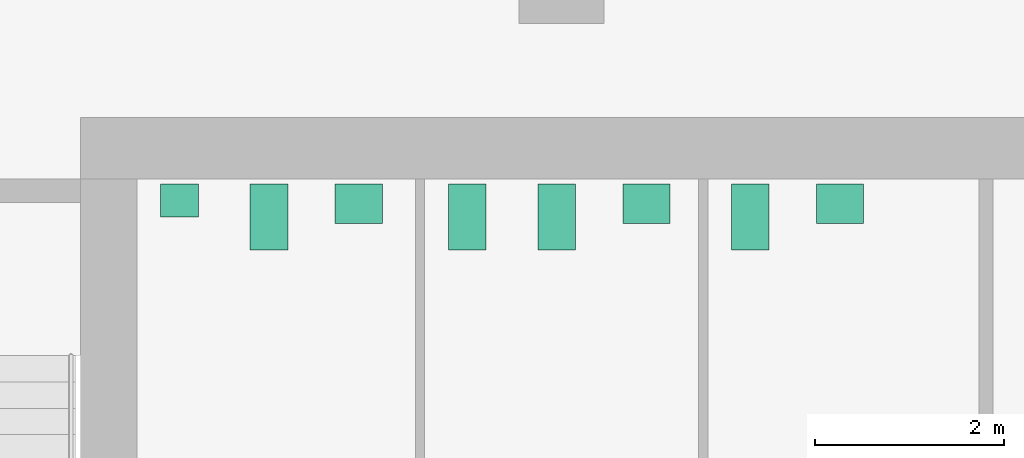
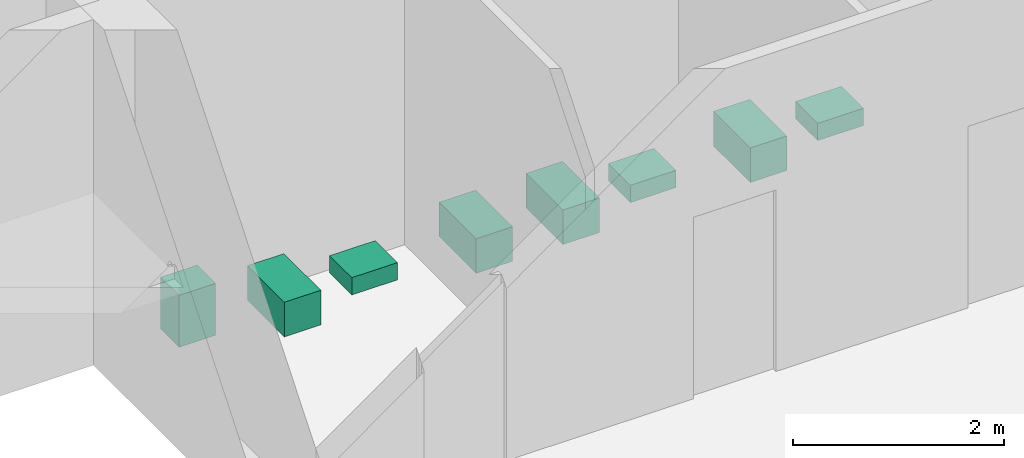
# One storey, part 8 of 8: 8 sanitary terminals.
"""IFC4 building model written with IfcOpenShell, lengths in metres."""

import ifcopenshell
import ifcopenshell.guid

model = None  # the IFC model being written
_history = None  # IfcOwnerHistory: only IFC2X3 demands one
_inside = {}  # id of a spatial element -> (the spatial element, [elements in it])
_under = {}  # id of a project, library or spatial element -> (it, [spatial elements below it])
_declared = {}  # id of a project -> (the project, [libraries it declares])
_typed = {}  # id of a type object -> (the type object, [elements of that type])
_made_of = {}  # id of a material, layer set ... -> (it, [elements and type objects made of it])


def new_model(schema):
    """Start an empty IFC model of exactly this schema.

    Asked for "IFC4X3", IfcOpenShell would pick the latest addendum, in which some entities
    have other attributes; the version numbers below select the first issue.
    IFC2X3 requires an IfcOwnerHistory on every rooted entity: one is made here for all.
    """
    global model, _history
    if schema == "IFC4X3":
        model = ifcopenshell.file(schema_version=(4, 3, 0, 0))
    else:
        model = ifcopenshell.file(schema=schema)
    _inside.clear()
    _under.clear()
    _declared.clear()
    _typed.clear()
    _made_of.clear()
    _history = None
    if model.schema == "IFC2X3":
        org = make("IfcOrganization", Name="unknown")
        user = make(
            "IfcPersonAndOrganization",
            ThePerson=make("IfcPerson", FamilyName="unknown"),
            TheOrganization=org,
        )
        app = make(
            "IfcApplication",
            ApplicationDeveloper=org,
            Version="unknown",
            ApplicationFullName="unknown",
            ApplicationIdentifier="unknown",
        )
        _history = make(
            "IfcOwnerHistory",
            OwningUser=user,
            OwningApplication=app,
            ChangeAction="ADDED",
            CreationDate=0,
        )
    return model


def make(cls, **values):
    """One entity of the class cls with the attributes given. An attribute that is None is left unset."""
    return model.create_entity(
        cls, **{name: value for name, value in values.items() if value is not None}
    )


def rooted(cls, **values):
    """An entity with a GlobalId (a new one), such as an element, a storey or a relation."""
    return make(cls, GlobalId=ifcopenshell.guid.new(), OwnerHistory=_history, **values)


def si_unit(unit_type, name, prefix=None):
    """IfcSIUnit, for example si_unit("LENGTHUNIT", "METRE", prefix="MILLI")."""
    return make("IfcSIUnit", UnitType=unit_type, Prefix=prefix, Name=name)


def assignment(units):
    """IfcUnitAssignment: the units of a project."""
    return None if units is None else make("IfcUnitAssignment", Units=units)


def point(xyz):
    """IfcCartesianPoint."""
    return None if xyz is None else make("IfcCartesianPoint", Coordinates=xyz)


def direction(xyz):
    """IfcDirection."""
    return None if xyz is None else make("IfcDirection", DirectionRatios=xyz)


def frame(location, z_axis=None, x_axis=None):
    """IfcAxis2Placement3D, a coordinate frame: its origin and axes. An axis left out is left unset."""
    return make(
        "IfcAxis2Placement3D",
        Location=point(location),
        Axis=direction(z_axis),
        RefDirection=direction(x_axis),
    )


def frame_2d(location, x_axis=None):
    """IfcAxis2Placement2D, a coordinate frame in the plane: its origin and x axis."""
    return make(
        "IfcAxis2Placement2D", Location=point(location), RefDirection=direction(x_axis)
    )


def origin():
    """The frame at (0, 0, 0) with its axes left unset."""
    return frame((0.0, 0.0, 0.0))


def origin_2d():
    """The frame at (0, 0) in the plane with its x axis left unset."""
    return frame_2d((0.0, 0.0))


def place(relative_to, where):
    """IfcLocalPlacement: puts the frame where relative to a parent placement (None: the world)."""
    return make(
        "IfcLocalPlacement", PlacementRelTo=relative_to, RelativePlacement=where
    )


def context(
    kind, dimensions, precision=None, world=None, true_north=None, identifier=None
):
    """IfcGeometricRepresentationContext, for example the 3D "Model" context."""
    return make(
        "IfcGeometricRepresentationContext",
        ContextIdentifier=identifier,
        ContextType=kind,
        CoordinateSpaceDimension=dimensions,
        Precision=precision,
        WorldCoordinateSystem=world,
        TrueNorth=true_north,
    )


def subcontext(parent, identifier, kind, view, scale=None):
    """IfcGeometricRepresentationSubContext, for example "Body" below "Model"."""
    return make(
        "IfcGeometricRepresentationSubContext",
        ContextIdentifier=identifier,
        ContextType=kind,
        ParentContext=parent,
        TargetScale=scale,
        TargetView=view,
    )


def project(units=None, contexts=None):
    """IfcProject with its units and contexts."""
    return rooted(
        "IfcProject",
        Name="project",
        RepresentationContexts=contexts,
        UnitsInContext=assignment(units),
    )


def spatial(cls, under=None, at=None, **own):
    """A site, building, storey or space (cls), placed at a placement, below another one or the project."""
    s = rooted(cls, ObjectPlacement=at, **own)
    if under is not None:
        _under.setdefault(under.id(), (under, []))[1].append(s)
    return s


def profile(cls, at=None, kind="AREA", **sizes):
    """A parametric profile (cls). Its sizes go by their IFC names, for example OverallWidth=200.0."""
    return make(cls, ProfileType=kind, Position=at, **sizes)


def rectangle(**sizes):
    """IfcRectangleProfileDef."""
    return profile("IfcRectangleProfileDef", **sizes)


def extrude(swept, where, along, depth):
    """IfcExtrudedAreaSolid: the profile swept, set in the frame where, extruded along a direction by depth."""
    return make(
        "IfcExtrudedAreaSolid",
        SweptArea=swept,
        Position=where,
        ExtrudedDirection=direction(along),
        Depth=depth,
    )


def shape(context_of_items, identifier, shape_type, items):
    """IfcShapeRepresentation: the items that make up one representation, for example the "Body"."""
    return make(
        "IfcShapeRepresentation",
        ContextOfItems=context_of_items,
        RepresentationIdentifier=identifier,
        RepresentationType=shape_type,
        Items=items,
    )


def material(Name=None, Category=None):
    """IfcMaterial."""
    return make("IfcMaterial", Name=Name, Category=Category)


def made_of(thing, what):
    """Note that an element or type object is made of a material, layer set ...; save() writes the relation."""
    if what is not None:
        _made_of.setdefault(what.id(), (what, []))[1].append(thing)
    return thing


def type_object(cls, material=None, **own):
    """A type object (cls), such as IfcWallType, which elements share."""
    return made_of(rooted(cls, **own), material)


def element(
    cls,
    number,
    at=None,
    inside=None,
    cuts=None,
    type_object=None,
    material=None,
    context=None,
    identifier="Body",
    shape_type=None,
    held_by="IfcProductDefinitionShape",
    body=None,
    shapes=None,
    **own,
):
    """One element of the class cls, such as IfcWall. Its Tag is "e" and its number.

    at: its placement. inside: the storey or other place that contains it. cuts: it is an
    opening in that element (IfcRelVoidsElement). A single representation is given by context,
    identifier, shape_type and body (its items); several are given by shapes. held_by: the class
    of the entity that holds the representations. save() writes the other relations.
    """
    e = rooted(cls, Tag="e%d" % number, ObjectPlacement=at, **own)
    if body is not None:
        shapes = [shape(context, identifier, shape_type, body)]
    if shapes is not None:
        e.Representation = make(held_by, Representations=shapes)
    if inside is not None:
        _inside.setdefault(inside.id(), (inside, []))[1].append(e)
    if cuts is not None:
        rooted(
            "IfcRelVoidsElement", RelatingBuildingElement=cuts, RelatedOpeningElement=e
        )
    if type_object is not None:
        _typed.setdefault(type_object.id(), (type_object, []))[1].append(e)
    return made_of(e, material)


def aggregate(whole, parts):
    """IfcRelAggregates: a whole, such as a stair, and the parts it consists of."""
    return rooted("IfcRelAggregates", RelatingObject=whole, RelatedObjects=parts)


def save(model, path):
    """Write the relations noted so far, then the file.

    IfcRelAggregates (storeys below a building ...), IfcRelContainedInSpatialStructure (elements
    in a storey), IfcRelDefinesByType, IfcRelAssociatesMaterial and IfcRelDeclares: one each for
    every whole, place, type object, material and project.
    """
    for whole, parts in _under.values():
        aggregate(whole, parts)
    for where, things in _inside.values():
        rooted(
            "IfcRelContainedInSpatialStructure",
            RelatedElements=things,
            RelatingStructure=where,
        )
    for kind, things in _typed.values():
        rooted("IfcRelDefinesByType", RelatedObjects=things, RelatingType=kind)
    for what, things in _made_of.values():
        rooted("IfcRelAssociatesMaterial", RelatedObjects=things, RelatingMaterial=what)
    for by, libraries in _declared.values():
        rooted("IfcRelDeclares", RelatingContext=by, RelatedDefinitions=libraries)
    model.write(path)


model = new_model("IFC4")

# Units and contexts
model_context = context("Model", 3, precision=1e-05, world=origin(), true_north=direction((0.0, 1.0)))
body_context = subcontext(model_context, "Body", "Model", "MODEL_VIEW")
ifc_project = project(units=[si_unit("LENGTHUNIT", "METRE"), si_unit("AREAUNIT", "SQUARE_METRE"), si_unit("VOLUMEUNIT", "CUBIC_METRE"), si_unit("PLANEANGLEUNIT", "RADIAN"), si_unit("MASSUNIT", "GRAM", prefix="KILO")], contexts=[model_context])

# Site, building, storey
site_placement = place(None, origin())
site = spatial("IfcSite", under=ifc_project, at=site_placement, CompositionType="ELEMENT")
building_placement = place(site_placement, origin())
building = spatial("IfcBuilding", under=site, at=building_placement, Name="Cinnabar Reach Civic Tower", CompositionType="ELEMENT")
storey_placement = place(building_placement, frame((0.0, 0.0, 189.0)))
storey = spatial("IfcBuildingStorey", under=building, at=storey_placement, Name="L45", CompositionType="ELEMENT", Elevation=189.0)

# Sanitary terminals
ifc_material = material(Name="Vitreous china")
sanitary_terminal_type_1 = type_object("IfcSanitaryTerminalType", Name="T1 WC pan", PredefinedType="TOILETPAN", material=ifc_material)
for number, where, z_axis, x_axis, name in (
    (1, (5.9, 41.6, 0.0), (0.0, 0.0, 1.0), (1.0, 0.0, 0.0), "T1 WC pan 4508-2"),
    (2, (8.0, 41.6, 0.0), (0.0, 0.0, 1.0), (1.0, 0.0, 0.0), "T1 WC pan 4509-1"),
    (3, (8.95, 41.6, 0.0), (0.0, 0.0, 1.0), (1.0, 0.0, 0.0), "T1 WC pan 4509-2"),
    (4, (11.0, 41.6, 0.0), (0.0, 0.0, 1.0), (1.0, 0.0, 0.0), "T1 WC pan 4510-1"),
):
    element("IfcSanitaryTerminal", number, at=place(storey_placement, frame(where, z_axis=z_axis, x_axis=x_axis)), inside=storey, type_object=sanitary_terminal_type_1, Name=name, PredefinedType="TOILETPAN", context=body_context, shape_type="SweptSolid", body=[
        extrude(rectangle(XDim=0.4, YDim=0.7, at=origin_2d()), origin(), (0.0, 0.0, 1.0), 0.4),
    ])
sanitary_terminal_type_2 = type_object("IfcSanitaryTerminalType", Name="T1 urinal", PredefinedType="URINAL", material=ifc_material)
sanitary_terminal_placement = place(storey_placement, frame((4.95, 41.775, 0.0), z_axis=(0.0, 0.0, 1.0), x_axis=(1.0, 0.0, 0.0)))
element("IfcSanitaryTerminal", 5, at=sanitary_terminal_placement, inside=storey, type_object=sanitary_terminal_type_2, Name="T1 urinal 4508-1", PredefinedType="URINAL", context=body_context, shape_type="SweptSolid", body=[
    extrude(rectangle(XDim=0.4, YDim=0.35, at=origin_2d()), origin(), (0.0, 0.0, 1.0), 0.6),
])
sanitary_terminal_type_3 = type_object("IfcSanitaryTerminalType", Name="T1 wash basin", PredefinedType="WASHHANDBASIN", material=ifc_material)
for number, where, z_axis, x_axis, name in (
    (6, (6.85, 41.74, 0.0), (0.0, 0.0, 1.0), (1.0, 0.0, 0.0), "T1 wash basin 4508-3"),
    (7, (9.9, 41.74, 0.0), (0.0, 0.0, 1.0), (1.0, 0.0, 0.0), "T1 wash basin 4509-3"),
    (8, (11.95, 41.74, 0.0), (0.0, 0.0, 1.0), (1.0, 0.0, 0.0), "T1 wash basin 4510-2"),
):
    element("IfcSanitaryTerminal", number, at=place(storey_placement, frame(where, z_axis=z_axis, x_axis=x_axis)), inside=storey, type_object=sanitary_terminal_type_3, Name=name, PredefinedType="WASHHANDBASIN", context=body_context, shape_type="SweptSolid", body=[
        extrude(rectangle(XDim=0.5, YDim=0.42, at=origin_2d()), origin(), (0.0, 0.0, 1.0), 0.2),
    ])

save(model, "model.ifc")
